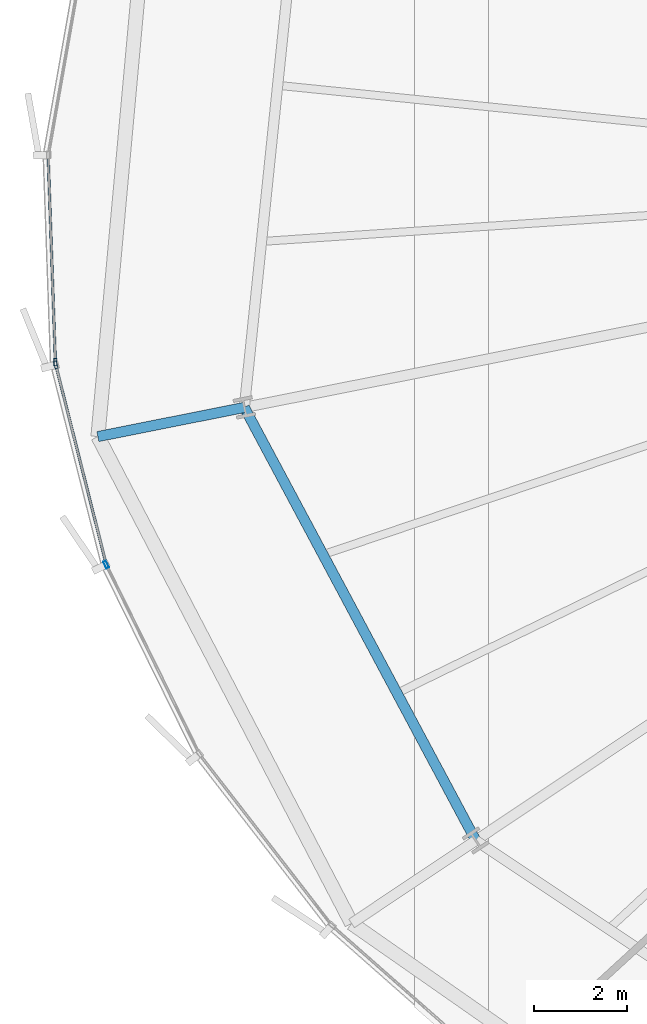
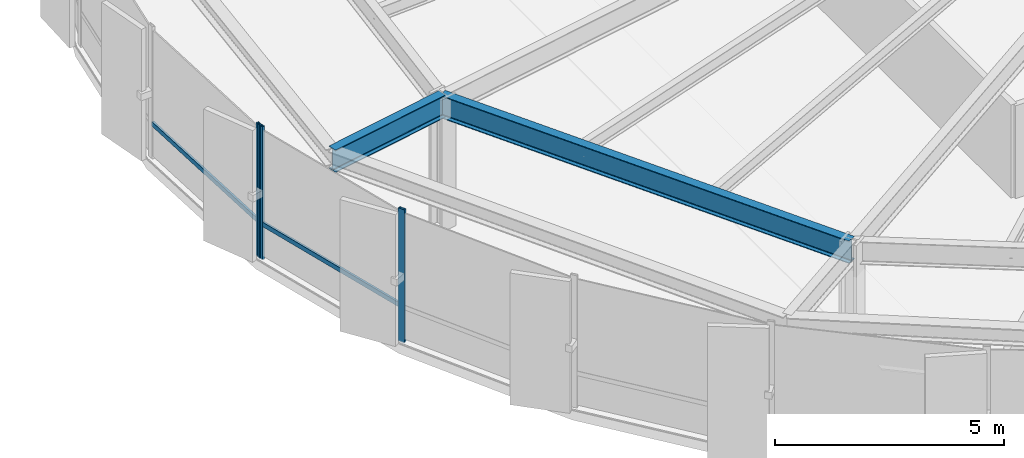
# One storey, part 7 of 38: 5 members, 2 beams, 2 elements without a shape of their own.
"""IFC4 building model written with IfcOpenShell, lengths in metres."""

from ifc_helpers import new_model, si_unit, direction, frame, origin, origin_2d, place, context, subcontext, project, spatial, hollow_rectangle, i_section, extrude, source, transform, mapped, material, layer, layer_set, material_profile, profile_set, type_object, element, aggregate, save


model = new_model("IFC4")

# Units and contexts
model_context = context("Model", 3, precision=1e-05, world=origin(), true_north=direction((0.0, 1.0)))
body_context = subcontext(model_context, "Body", "Model", "MODEL_VIEW")
ifc_project = project(units=[si_unit("LENGTHUNIT", "METRE"), si_unit("AREAUNIT", "SQUARE_METRE"), si_unit("VOLUMEUNIT", "CUBIC_METRE"), si_unit("PLANEANGLEUNIT", "RADIAN"), si_unit("MASSUNIT", "GRAM", prefix="KILO"), si_unit("THERMODYNAMICTEMPERATUREUNIT", "KELVIN")], contexts=[model_context])

# Site, building, storey
site_placement = place(None, origin())
site = spatial("IfcSite", under=ifc_project, at=site_placement, CompositionType="ELEMENT")
building_placement = place(site_placement, origin())
building = spatial("IfcBuilding", under=site, at=building_placement, Name="Kethvar Cultural Tower", CompositionType="ELEMENT")
storey_placement = place(building_placement, frame((0.0, 0.0, 63.800048828125)))
storey = spatial("IfcBuildingStorey", under=building, at=storey_placement, Name="L15", CompositionType="ELEMENT", Elevation=63.800048828125)

# Beams
ifc_material_1 = material(Name="Steel S355J2", Category="steel")
ifc_material_profile_1 = material_profile(ifc_material_1, i_section(OverallWidth=0.219970703125, OverallDepth=0.60009765625, WebThickness=0.011962890625, FlangeThickness=0.01904296875, FilletRadius=0.02392578125, at=origin_2d()), Name="Steel S355J2 — IPE600")
ifc_profile_set_1 = profile_set([ifc_material_profile_1], Name="Steel S355J2 — IPE600")
beam_type = type_object("IfcBeamType", Name="BM-IPE600", PredefinedType="BEAM", material=ifc_profile_set_1)
shared_shape_1 = source(origin(), body_context, "Body", "SweptSolid", [
    extrude(i_section(OverallWidth=0.219970703125, OverallDepth=0.60009765625, WebThickness=0.011962890625, FlangeThickness=0.01904296875, FilletRadius=0.02392578125, at=origin_2d()), origin(), (0.0, 0.0, 1.0), 3.199951171875),
])
beam_1_placement = place(storey_placement, frame((19.9658203125, 22.46240234375, 3.248046875), z_axis=(-0.980785550224, -0.195088965533, 0.0), x_axis=(0.195088965533, -0.980785550224, 0.0)))
element("IfcBeam", 1, at=beam_1_placement, inside=storey, type_object=beam_type, Name="L15 Perimeter Cantilever Beam RC-09", PredefinedType="BEAM", context=body_context, shape_type="MappedRepresentation", body=[
    mapped(shared_shape_1, transform((0.0, 0.0, 0.0), scale=1.0)),
])
shared_shape_2 = source(origin(), body_context, "Body", "SweptSolid", [
    extrude(i_section(OverallWidth=0.219970703125, OverallDepth=0.60009765625, WebThickness=0.011962890625, FlangeThickness=0.01904296875, FilletRadius=0.02392578125, at=origin_2d()), origin(), (0.0, 0.0, 1.0), 10.52099609375),
])
beam_2_placement = place(storey_placement, frame((19.9658203125, 22.46240234375, 3.248046875), z_axis=(0.471339616984, -0.881951793162, 0.0), x_axis=(0.881951793162, 0.471339616984, 0.0)))
element("IfcBeam", 2, at=beam_2_placement, inside=storey, type_object=beam_type, Name="L15 Column Ring Tie Beam CR-09", PredefinedType="BEAM", context=body_context, shape_type="MappedRepresentation", body=[
    mapped(shared_shape_2, transform((0.0, 0.0, 0.0), scale=1.0)),
])

# Curtain wall, member
ifc_material_2 = material(Name="Aluminium 6063-T6", Category="aluminium")
ifc_layer = layer(ifc_material_2, 0.179931640625, Name="Aluminium 6063-T6", Category="aluminium")
ifc_layer_set = layer_set([ifc_layer], Name="Aluminium 6063-T6 (180 mm)")
curtain_wall_type = type_object("IfcCurtainWallType", Name="CW-SYS-02-Z1", PredefinedType="NOTDEFINED", material=ifc_layer_set)
curtain_wall_1_placement = place(storey_placement, origin())
curtain_wall_1 = element("IfcCurtainWall", 3, at=curtain_wall_1_placement, inside=storey, type_object=curtain_wall_type, Name="L15 Curtain Wall Run 03", PredefinedType="NOTDEFINED")
ifc_material_profile_2 = material_profile(ifc_material_2, hollow_rectangle(XDim=0.06494140625, YDim=0.159912109375, WallThickness=0.0048828125, at=origin_2d()), Name="Aluminium 6063-T6 — RHS160x65x5")
ifc_profile_set_2 = profile_set([ifc_material_profile_2], Name="Aluminium 6063-T6 — RHS160x65x5")
member_type_1 = type_object("IfcMemberType", Name="CW-SYS-02-Z1-MUL", PredefinedType="MULLION", material=ifc_profile_set_2)
shared_shape_3 = source(origin(), body_context, "Body", "SweptSolid", [
    extrude(hollow_rectangle(XDim=0.06494140625, YDim=0.159912109375, WallThickness=0.0048828125, at=origin_2d()), origin(), (0.0, 0.0, 1.0), 3.550048828125),
])
member_1_placement = place(storey_placement, frame((15.916015625, 23.43408203125, 0.0), z_axis=(0.0, 0.0, 1.0), x_axis=(0.999385944388, 0.035039037645, 0.0)))
member_1 = element("IfcMember", 4, at=member_1_placement, type_object=member_type_1, Name="CW-L15-R03 Mullion 7", PredefinedType="MULLION", context=body_context, shape_type="MappedRepresentation", body=[
    mapped(shared_shape_3, transform((0.0, 0.0, 0.0), scale=1.0)),
])

# Curtain wall, members
curtain_wall_2_placement = place(storey_placement, origin())
curtain_wall_2 = element("IfcCurtainWall", 5, at=curtain_wall_2_placement, inside=storey, type_object=curtain_wall_type, Name="L15 Curtain Wall Run 04", PredefinedType="NOTDEFINED")
member_2_placement = place(storey_placement, frame((15.92431640625, 23.376220703125, 0.0), z_axis=(0.0, 0.0, 1.0), x_axis=(0.969479591818, 0.245172023382, 0.0)))
member_2 = element("IfcMember", 6, at=member_2_placement, type_object=member_type_1, Name="CW-L15-R04 Mullion 1", PredefinedType="MULLION", context=body_context, shape_type="MappedRepresentation", body=[
    mapped(shared_shape_3, transform((0.0, 0.0, 0.0), scale=1.0)),
])
member_3_placement = place(storey_placement, frame((17.00439453125, 19.094482421875, 0.0), z_axis=(0.0, 0.0, 1.0), x_axis=(0.897258369674, 0.441505852792, 0.0)))
member_3 = element("IfcMember", 7, at=member_3_placement, type_object=member_type_1, Name="CW-L15-R04 Mullion 2", PredefinedType="MULLION", context=body_context, shape_type="MappedRepresentation", body=[
    mapped(shared_shape_3, transform((0.0, 0.0, 0.0), scale=1.0)),
])

# Member
ifc_material_profile_3 = material_profile(ifc_material_2, hollow_rectangle(XDim=0.054931640625, YDim=0.1201171875, WallThickness=0.00390625, at=origin_2d()), Name="Aluminium 6063-T6 — RHS120x55x4")
ifc_profile_set_3 = profile_set([ifc_material_profile_3], Name="Aluminium 6063-T6 — RHS120x55x4")
member_type_2 = type_object("IfcMemberType", Name="CW-SYS-02-Z1-TRN", PredefinedType="USERDEFINED", material=ifc_profile_set_3)
shared_shape_4 = source(origin(), body_context, "Body", "SweptSolid", [
    extrude(hollow_rectangle(XDim=0.054931640625, YDim=0.1201171875, WallThickness=0.00390625, at=origin_2d()), origin(), (0.0, 0.0, 1.0), 4.389404296875),
])
member_4_placement = place(storey_placement, frame((15.76220703125, 27.825439453125, 0.949951171875), z_axis=(0.035040800647, -0.999385882575, 0.0), x_axis=(0.999385882575, 0.035040800647, 0.0)))
member_4 = element("IfcMember", 8, at=member_4_placement, type_object=member_type_2, Name="CW-L15-R03 Transom 6", ObjectType="TRANSOM", PredefinedType="USERDEFINED", context=body_context, shape_type="MappedRepresentation", body=[
    mapped(shared_shape_4, transform((0.0, 0.0, 0.0), scale=1.0)),
])

aggregate(curtain_wall_1, [member_1, member_4])

member_5_placement = place(storey_placement, frame((15.92529296875, 23.37158203125, 0.949951171875), z_axis=(0.245230645374, -0.969464764996, 0.0), x_axis=(0.969464764996, 0.245230645374, 0.0)))
member_5 = element("IfcMember", 9, at=member_5_placement, type_object=member_type_2, Name="CW-L15-R04 Transom 1", ObjectType="TRANSOM", PredefinedType="USERDEFINED", context=body_context, shape_type="MappedRepresentation", body=[
    mapped(shared_shape_4, transform((0.0, 0.0, 0.0), scale=1.0)),
])

aggregate(curtain_wall_2, [member_2, member_3, member_5])

save(model, "model.ifc")
